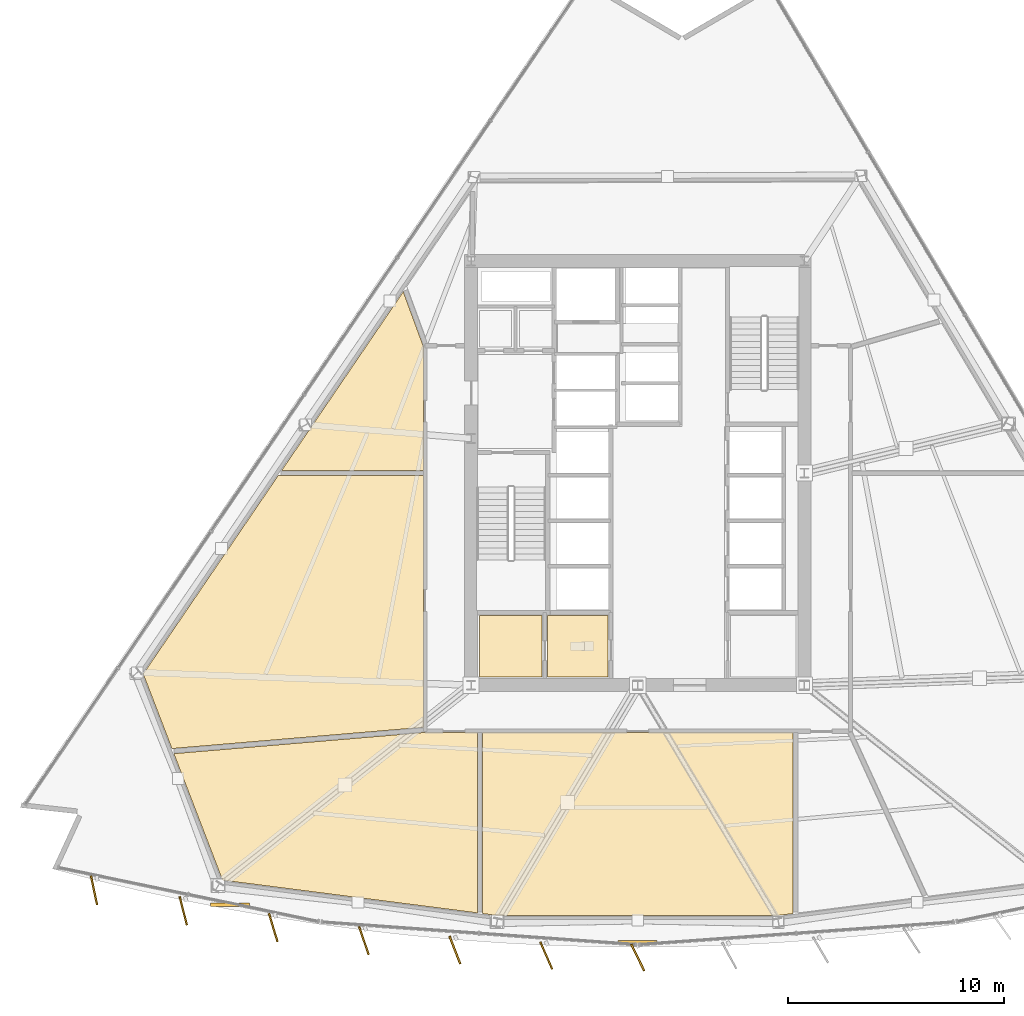
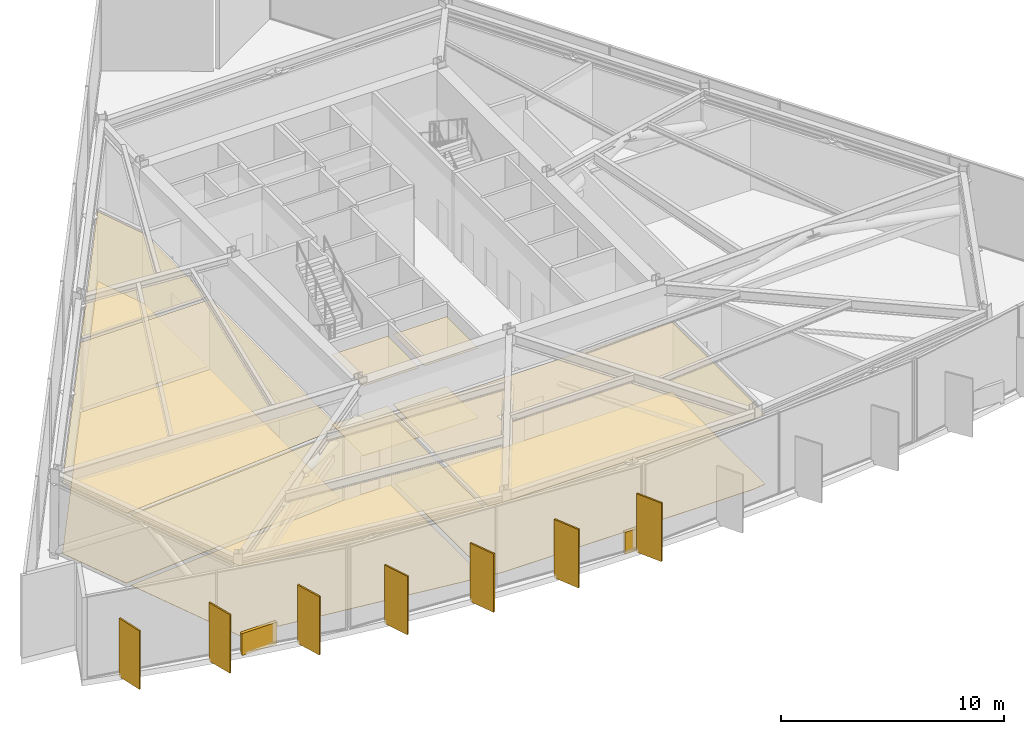
# One storey, part 12 of 16: 12 coverings, 9 shading devices.
"""IFC4 building model written with IfcOpenShell, lengths in metres."""

from ifc_helpers import new_model, si_unit, direction, frame, origin, origin_2d, place, context, subcontext, project, spatial, polyline, rectangle, outline, extrude, material, layer, layer_set, type_object, element, save


model = new_model("IFC4")

# Units and contexts
model_context = context("Model", 3, precision=1e-05, world=origin(), true_north=direction((0.0, 1.0)))
body_context = subcontext(model_context, "Body", "Model", "MODEL_VIEW")
ifc_project = project(units=[si_unit("LENGTHUNIT", "METRE"), si_unit("AREAUNIT", "SQUARE_METRE"), si_unit("VOLUMEUNIT", "CUBIC_METRE"), si_unit("PLANEANGLEUNIT", "RADIAN"), si_unit("MASSUNIT", "GRAM", prefix="KILO")], contexts=[model_context])

# Site, building, storey
site_placement = place(None, origin())
site = spatial("IfcSite", under=ifc_project, at=site_placement, CompositionType="ELEMENT")
building_placement = place(site_placement, origin())
building = spatial("IfcBuilding", under=site, at=building_placement, Name="Savorim Split Tower", CompositionType="ELEMENT")
storey_placement = place(building_placement, frame((0.0, 0.0, 73.199951171875)))
storey = spatial("IfcBuildingStorey", under=building, at=storey_placement, Name="L19", CompositionType="ELEMENT", Elevation=73.199951171875)

# Coverings
ifc_material_1 = material(Name="Mineral Fibre Acoustic Ceiling")
ifc_layer_1 = layer(ifc_material_1, 0.02490234375)
ifc_layer_set_1 = layer_set([ifc_layer_1], Name="COV-CEIL-25")
covering_type_1 = type_object("IfcCoveringType", Name="COV-CEIL-25", PredefinedType="CEILING", material=ifc_layer_set_1)
covering_1_placement = place(storey_placement, frame((0.0, 0.0, 3.820068359375)))
element("IfcCovering", 1, at=covering_1_placement, inside=storey, type_object=covering_type_1, Name="L19 Pressurisation Plant Room Acoustic Ceiling", PredefinedType="CEILING", context=body_context, shape_type="SweptSolid", body=[
    extrude(outline(polyline([(-7.320068359375, -6.179931640625), (-7.320068359375, -9.02001953125), (-4.429931640625, -9.02001953125), (-4.429931640625, -6.179931640625), (-7.320068359375, -6.179931640625)])), origin(), (0.0, 0.0, 1.0), 0.02490234375),
])
covering_2_placement = place(storey_placement, frame((0.0, 0.0, 3.820068359375)))
element("IfcCovering", 2, at=covering_2_placement, inside=storey, type_object=covering_type_1, Name="L19 Accessible WC Acoustic Ceiling", PredefinedType="CEILING", context=body_context, shape_type="SweptSolid", body=[
    extrude(outline(polyline([(-4.169921875, -6.179931640625), (-4.169921875, -9.02001953125), (-1.3798828125, -9.02001953125), (-1.3798828125, -6.179931640625), (-4.169921875, -6.179931640625)])), origin(), (0.0, 0.0, 1.0), 0.02490234375),
])
covering_3_placement = place(storey_placement, frame((0.0, 0.0, 3.820068359375)))
element("IfcCovering", 3, at=covering_3_placement, inside=storey, type_object=covering_type_1, Name="L19 AHU Mechanical Plant Room 1 Acoustic Ceiling", PredefinedType="CEILING", context=body_context, shape_type="SweptSolid", body=[
    extrude(outline(polyline([(-16.59033203125, 0.280029296875), (-16.59033203125, 0.3125), (-22.843505859375, -8.879638671875), (-21.51806640625, -12.32666015625), (-9.8994140625, -11.343994140625), (-9.889892578125, -11.34326171875), (-9.889892578125, 0.280029296875), (-16.47021484375, 0.280029296875), (-16.59033203125, 0.280029296875)])), origin(), (0.0, 0.0, 1.0), 0.02490234375),
])
covering_4_placement = place(storey_placement, frame((0.0, 0.0, 3.820068359375)))
element("IfcCovering", 4, at=covering_4_placement, inside=storey, type_object=covering_type_1, Name="L19 Refuge Area West Acoustic Ceiling", PredefinedType="CEILING", context=body_context, shape_type="SweptSolid", body=[
    extrude(outline(polyline([(-21.4111328125, -12.55859375), (-21.42822265625, -12.559814453125), (-19.18017578125, -18.406005859375), (-7.4130859375, -19.916748046875), (-7.4130859375, -11.590087890625), (-9.75, -11.590087890625), (-9.763671875, -11.58935546875), (-9.77734375, -11.58740234375), (-9.79052734375, -11.583984375), (-9.8037109375, -11.579345703125), (-9.80810546875, -11.577392578125), (-21.4111328125, -12.55859375)])), origin(), (0.0, 0.0, 1.0), 0.02490234375),
])
covering_5_placement = place(storey_placement, frame((0.0, 0.0, 3.820068359375)))
element("IfcCovering", 5, at=covering_5_placement, inside=storey, type_object=covering_type_1, Name="L19 Chiller Plant Room 1 Acoustic Ceiling", PredefinedType="CEILING", context=body_context, shape_type="SweptSolid", body=[
    extrude(outline(polyline([(-7.173095703125, -19.947509765625), (-6.477783203125, -20.036865234375), (6.477783203125, -20.036865234375), (7.173095703125, -19.947509765625), (7.173095703125, -11.590087890625), (-7.173095703125, -11.590087890625), (-7.173095703125, -19.881591796875), (-7.173095703125, -19.947509765625)])), origin(), (0.0, 0.0, 1.0), 0.02490234375),
])
covering_6_placement = place(storey_placement, frame((0.0, 0.0, 3.820068359375)))
element("IfcCovering", 6, at=covering_6_placement, inside=storey, type_object=covering_type_1, Name="L19 Refuge Area Central Acoustic Ceiling", PredefinedType="CEILING", context=body_context, shape_type="SweptSolid", body=[
    extrude(outline(polyline([(-9.889404296875, 6.213623046875), (-9.88916015625, 6.21435546875), (-10.831787109375, 8.777587890625), (-15.12939453125, 2.4599609375), (-15.146484375, 2.434814453125), (-15.146484375, 2.39501953125), (-15.173583984375, 2.39501953125), (-16.44921875, 0.52001953125), (-9.889892578125, 0.52001953125), (-9.889892578125, 6.199951171875), (-9.889404296875, 6.213623046875)])), origin(), (0.0, 0.0, 1.0), 0.02490234375),
])
ifc_material_2 = material(Name="Porcelain Stoneware Flooring", Category="masonry")
ifc_layer_2 = layer(ifc_material_2, 0.02001953125)
ifc_layer_set_2 = layer_set([ifc_layer_2], Name="COV-FLOR-20")
covering_type_2 = type_object("IfcCoveringType", Name="COV-FLOR-20", PredefinedType="FLOORING", material=ifc_layer_set_2)
covering_7_placement = place(storey_placement, origin())
element("IfcCovering", 7, at=covering_7_placement, inside=storey, type_object=covering_type_2, Name="L19 Pressurisation Plant Room Porcelain Flooring", PredefinedType="FLOORING", context=body_context, shape_type="SweptSolid", body=[
    extrude(outline(polyline([(-7.320068359375, -6.179931640625), (-7.320068359375, -9.02001953125), (-4.429931640625, -9.02001953125), (-4.429931640625, -6.179931640625), (-7.320068359375, -6.179931640625)])), origin(), (0.0, 0.0, 1.0), 0.02001953125),
])
covering_8_placement = place(storey_placement, origin())
element("IfcCovering", 8, at=covering_8_placement, inside=storey, type_object=covering_type_2, Name="L19 Accessible WC Porcelain Flooring", PredefinedType="FLOORING", context=body_context, shape_type="SweptSolid", body=[
    extrude(outline(polyline([(-4.169921875, -6.179931640625), (-4.169921875, -9.02001953125), (-1.3798828125, -9.02001953125), (-1.3798828125, -6.179931640625), (-4.169921875, -6.179931640625)])), origin(), (0.0, 0.0, 1.0), 0.02001953125),
])
covering_9_placement = place(storey_placement, origin())
element("IfcCovering", 9, at=covering_9_placement, inside=storey, type_object=covering_type_2, Name="L19 AHU Mechanical Plant Room 1 Porcelain Flooring", PredefinedType="FLOORING", context=body_context, shape_type="SweptSolid", body=[
    extrude(outline(polyline([(-16.59033203125, 0.280029296875), (-16.59033203125, 0.3125), (-22.843505859375, -8.879638671875), (-21.51806640625, -12.32666015625), (-9.8994140625, -11.343994140625), (-9.889892578125, -11.34326171875), (-9.889892578125, 0.280029296875), (-16.47021484375, 0.280029296875), (-16.59033203125, 0.280029296875)])), origin(), (0.0, 0.0, 1.0), 0.02001953125),
])
covering_10_placement = place(storey_placement, origin())
element("IfcCovering", 10, at=covering_10_placement, inside=storey, type_object=covering_type_2, Name="L19 Refuge Area West Porcelain Flooring", PredefinedType="FLOORING", context=body_context, shape_type="SweptSolid", body=[
    extrude(outline(polyline([(-21.4111328125, -12.55859375), (-21.42822265625, -12.559814453125), (-19.18017578125, -18.406005859375), (-7.4130859375, -19.916748046875), (-7.4130859375, -11.590087890625), (-9.75, -11.590087890625), (-9.763671875, -11.58935546875), (-9.77734375, -11.58740234375), (-9.79052734375, -11.583984375), (-9.8037109375, -11.579345703125), (-9.80810546875, -11.577392578125), (-21.4111328125, -12.55859375)])), origin(), (0.0, 0.0, 1.0), 0.02001953125),
])
covering_11_placement = place(storey_placement, origin())
element("IfcCovering", 11, at=covering_11_placement, inside=storey, type_object=covering_type_2, Name="L19 Chiller Plant Room 1 Porcelain Flooring", PredefinedType="FLOORING", context=body_context, shape_type="SweptSolid", body=[
    extrude(outline(polyline([(-7.173095703125, -19.947509765625), (-6.477783203125, -20.036865234375), (6.477783203125, -20.036865234375), (7.173095703125, -19.947509765625), (7.173095703125, -11.590087890625), (-7.173095703125, -11.590087890625), (-7.173095703125, -19.881591796875), (-7.173095703125, -19.947509765625)])), origin(), (0.0, 0.0, 1.0), 0.02001953125),
])
covering_12_placement = place(storey_placement, origin())
element("IfcCovering", 12, at=covering_12_placement, inside=storey, type_object=covering_type_2, Name="L19 Refuge Area Central Porcelain Flooring", PredefinedType="FLOORING", context=body_context, shape_type="SweptSolid", body=[
    extrude(outline(polyline([(-9.889404296875, 6.213623046875), (-9.88916015625, 6.21435546875), (-10.831787109375, 8.777587890625), (-15.12939453125, 2.4599609375), (-15.146484375, 2.434814453125), (-15.146484375, 2.39501953125), (-15.173583984375, 2.39501953125), (-16.44921875, 0.52001953125), (-9.889892578125, 0.52001953125), (-9.889892578125, 6.199951171875), (-9.889404296875, 6.213623046875)])), origin(), (0.0, 0.0, 1.0), 0.02001953125),
])

# Shading devices
ifc_material_3 = material(Name="Terracotta Ceramic-Coated Aluminium Fin", Category="masonry")
shading_device_type_1 = type_object("IfcShadingDeviceType", Name="SHD-FIN-1360", PredefinedType="USERDEFINED", material=ifc_material_3)
for number, where, z_axis, x_axis, name in (
    (13, (-25.116455078125, -18.87744140625, -0.19970703125), (0.0, 0.0, 1.0), (0.206721626106, -0.978399800337, 0.0), "L19 Sawtooth Shading Fin 01"),
    (14, (-20.9951171875, -19.821044921875, -0.19970703125), (0.0, 0.0, 1.0), (0.246581250663, -0.969122121727, 0.0), "L19 Sawtooth Shading Fin 02"),
    (15, (-16.83837890625, -20.595458984375, -0.19970703125), (0.0, 0.0, 1.0), (0.286026212504, -0.958221793616, 0.0), "L19 Sawtooth Shading Fin 03"),
    (16, (-12.653564453125, -21.198974609375, -0.19970703125), (0.0, 0.0, 1.0), (0.324993810493, -0.945716143005, 0.0), "L19 Sawtooth Shading Fin 04"),
    (17, (-8.447509765625, -21.630859375, -0.19970703125), (0.0, 0.0, 1.0), (0.363415461732, -0.931627179817, 0.0), "L19 Sawtooth Shading Fin 05"),
    (18, (-4.227294921875, -21.890380859375, -0.19970703125), (0.0, 0.0, 1.0), (0.401230091723, -0.915977299662, 0.0), "L19 Sawtooth Shading Fin 06"),
    (19, (0.0, -21.976806640625, -0.19970703125), (0.0, 0.0, 1.0), (0.438371146789, -0.898794046299, 0.0), "L19 Sawtooth Shading Fin 07"),
):
    element("IfcShadingDevice", number, at=place(storey_placement, frame(where, z_axis=z_axis, x_axis=x_axis)), inside=storey, type_object=shading_device_type_1, Name=name, ObjectType="FIN", PredefinedType="USERDEFINED", context=body_context, shape_type="SweptSolid", body=[
        extrude(rectangle(XDim=1.360107421875, YDim=0.080078125, at=origin_2d()), origin(), (0.0, 0.0, 1.0), 3.199951171875),
    ])
ifc_material_4 = material(Name="Charcoal Anodised Aluminium", Category="aluminium")
shading_device_type_2 = type_object("IfcShadingDeviceType", Name="SHD-LVR-1800", PredefinedType="USERDEFINED", material=ifc_material_4)
for number, where, z_axis, x_axis, name in (
    (20, (-18.83349609375, -19.54150390625, -0.14990234375), (0.0, 0.0, 1.0), (1.0, 0.0, 0.0), "L19 Plant Acoustic Louvre 1"),
    (21, (0.0, -21.28076171875, -0.14990234375), (0.0, 0.0, 1.0), (1.0, 0.0, 0.0), "L19 Plant Acoustic Louvre 2"),
):
    element("IfcShadingDevice", number, at=place(storey_placement, frame(where, z_axis=z_axis, x_axis=x_axis)), inside=storey, type_object=shading_device_type_2, Name=name, ObjectType="LOUVRE", PredefinedType="USERDEFINED", context=body_context, shape_type="SweptSolid", body=[
        extrude(rectangle(XDim=1.800048828125, YDim=0.159912109375, at=origin_2d()), origin(), (0.0, 0.0, 1.0), 1.199951171875),
    ])

save(model, "model.ifc")
